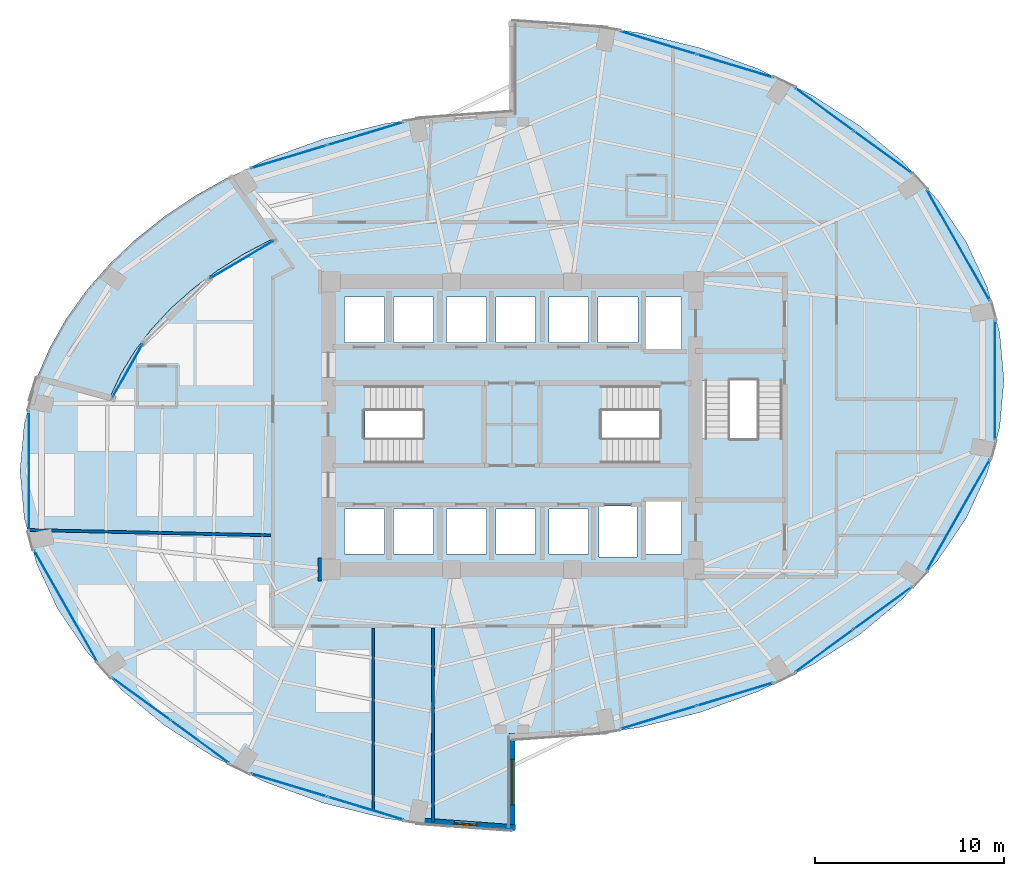
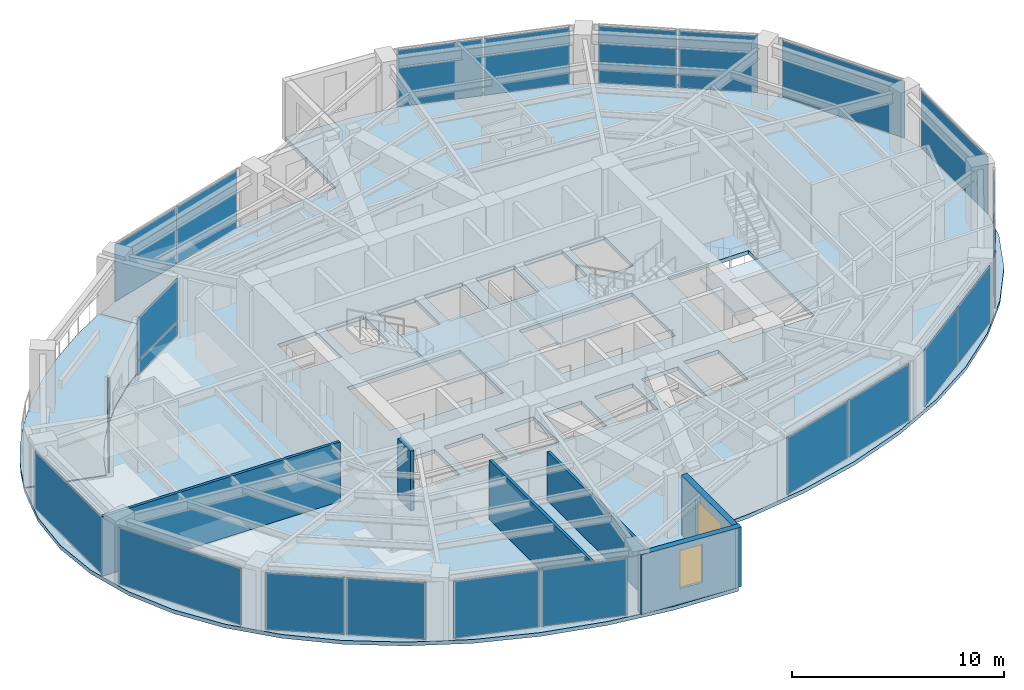
# One storey, part 19 of 24: 23 plates, 6 walls, 5 slabs, 2 windows, 2 openings, 17 elements without a shape of their own.
"""IFC4 building model written with IfcOpenShell, lengths in metres."""

from ifc_helpers import new_model, si_unit, direction, frame, frame_2d, origin, origin_2d, place, context, subcontext, project, spatial, polyline, rectangle, outline, extrude, material, layer, layer_set, type_object, element, fill, aggregate, save


model = new_model("IFC4")

# Units and contexts
model_context = context("Model", 3, precision=1e-05, world=origin(), true_north=direction((0.0, 1.0)))
body_context = subcontext(model_context, "Body", "Model", "MODEL_VIEW")
ifc_project = project(units=[si_unit("LENGTHUNIT", "METRE"), si_unit("AREAUNIT", "SQUARE_METRE"), si_unit("VOLUMEUNIT", "CUBIC_METRE"), si_unit("PLANEANGLEUNIT", "RADIAN"), si_unit("MASSUNIT", "GRAM", prefix="KILO")], contexts=[model_context])

# Site, building, storey
site_placement = place(None, origin())
site = spatial("IfcSite", under=ifc_project, at=site_placement, CompositionType="ELEMENT")
building_placement = place(site_placement, origin())
building = spatial("IfcBuilding", under=site, at=building_placement, Name="Lazwardi Medical Tower", CompositionType="ELEMENT")
storey_placement = place(building_placement, frame((0.0, 0.0, 110.927978515625)))
storey = spatial("IfcBuildingStorey", under=building, at=storey_placement, Name="L28", CompositionType="ELEMENT", Elevation=110.927978515625)

# Curtain wall, plates
ifc_material_1 = material(Name="Anodised bronze aluminium and solar control glazing", Category="aluminium")
ifc_layer_1 = layer(ifc_material_1, 0.195068359375)
ifc_layer_set_1 = layer_set([ifc_layer_1], Name="Anodised bronze aluminium and solar control glazing")
curtain_wall_type_1 = type_object("IfcCurtainWallType", Name="CW-SYS-03", PredefinedType="NOTDEFINED", material=ifc_layer_set_1)
curtain_wall_1_placement = place(storey_placement, origin())
curtain_wall_1 = element("IfcCurtainWall", 1, at=curtain_wall_1_placement, inside=storey, type_object=curtain_wall_type_1, Name="L28 Unitised bronze curtain wall CW-03", PredefinedType="NOTDEFINED")
ifc_material_2 = material(Name="Low-e bronze solar control double glazing", Category="glass")
ifc_layer_2 = layer(ifc_material_2, 0.035888671875)
ifc_layer_set_2 = layer_set([ifc_layer_2], Name="Low-e bronze solar control double glazing")
plate_type_1 = type_object("IfcPlateType", Name="PLT-GLZ-01", PredefinedType="CURTAIN_PANEL", material=ifc_layer_set_2)
plate_1_placement = place(storey_placement, frame((43.73974609375, 12.573486328125, 0.0751953125), z_axis=(0.0, 0.0, 1.0), x_axis=(0.957216170558, 0.28937381157, 0.0)))
plate_1 = element("IfcPlate", 2, at=plate_1_placement, type_object=plate_type_1, Name="CW-03 panel 1.1", PredefinedType="CURTAIN_PANEL", context=body_context, shape_type="SweptSolid", body=[
    extrude(rectangle(XDim=4.16552734375, YDim=0.035888671875, at=origin_2d()), origin(), (0.0, 0.0, 1.0), 3.278076171875),
])
plate_2_placement = place(storey_placement, frame((47.798828125, 13.800537109375, 0.0751953125), z_axis=(0.0, 0.0, 1.0), x_axis=(0.957216170558, 0.28937381157, 0.0)))
plate_2 = element("IfcPlate", 3, at=plate_2_placement, type_object=plate_type_1, Name="CW-03 panel 2.1", PredefinedType="CURTAIN_PANEL", context=body_context, shape_type="SweptSolid", body=[
    extrude(rectangle(XDim=4.16552734375, YDim=0.035888671875, at=origin_2d()), origin(), (0.0, 0.0, 1.0), 3.278076171875),
])
aggregate(curtain_wall_1, [plate_1, plate_2])

curtain_wall_2_placement = place(storey_placement, origin())
curtain_wall_2 = element("IfcCurtainWall", 4, at=curtain_wall_2_placement, inside=storey, type_object=curtain_wall_type_1, Name="L28 Unitised bronze curtain wall CW-03", PredefinedType="NOTDEFINED")
plate_3_placement = place(storey_placement, frame((52.4990234375, 16.093017578125, 0.0751953125), z_axis=(0.0, 0.0, 1.0), x_axis=(0.807745837639, 0.589530882802, 0.0)))
plate_3 = element("IfcPlate", 5, at=plate_3_placement, type_object=plate_type_1, Name="CW-03 panel 1.1", PredefinedType="CURTAIN_PANEL", context=body_context, shape_type="SweptSolid", body=[
    extrude(rectangle(XDim=3.767578125, YDim=0.035888671875, at=origin_2d()), origin(), (0.0, 0.0, 1.0), 3.278076171875),
])
plate_4_placement = place(storey_placement, frame((55.60302734375, 18.3583984375, 0.0751953125), z_axis=(0.0, 0.0, 1.0), x_axis=(0.807745837639, 0.589530882802, 0.0)))
plate_4 = element("IfcPlate", 6, at=plate_4_placement, type_object=plate_type_1, Name="CW-03 panel 2.1", PredefinedType="CURTAIN_PANEL", context=body_context, shape_type="SweptSolid", body=[
    extrude(rectangle(XDim=3.767578125, YDim=0.035888671875, at=origin_2d()), origin(), (0.0, 0.0, 1.0), 3.278076171875),
])
aggregate(curtain_wall_2, [plate_3, plate_4])

# Curtain wall, plate
curtain_wall_3_placement = place(storey_placement, origin())
curtain_wall_3 = element("IfcCurtainWall", 7, at=curtain_wall_3_placement, inside=storey, type_object=curtain_wall_type_1, Name="L28 Unitised bronze curtain wall CW-03", PredefinedType="NOTDEFINED")
plate_5_placement = place(storey_placement, frame((59.5849609375, 23.270263671875, 0.0751953125), z_axis=(0.0, 0.0, 1.0), x_axis=(0.493603140041, 0.869687265712, 0.0)))
plate_5 = element("IfcPlate", 8, at=plate_5_placement, type_object=plate_type_1, Name="CW-03 panel 1.1", PredefinedType="CURTAIN_PANEL", context=body_context, shape_type="SweptSolid", body=[
    extrude(rectangle(XDim=6.722900390625, YDim=0.035888671875, at=origin_2d()), origin(), (0.0, 0.0, 1.0), 3.278076171875),
])
aggregate(curtain_wall_3, [plate_5])

curtain_wall_4_placement = place(storey_placement, origin())
curtain_wall_4 = element("IfcCurtainWall", 9, at=curtain_wall_4_placement, inside=storey, type_object=curtain_wall_type_1, Name="L28 Unitised bronze curtain wall CW-03", PredefinedType="NOTDEFINED")
plate_6_placement = place(storey_placement, frame((61.528076171875, 30.39990234375, 0.0751953125), z_axis=(0.0, 0.0, 1.0), x_axis=(0.0, 1.0, 0.0)))
plate_6 = element("IfcPlate", 10, at=plate_6_placement, type_object=plate_type_1, Name="CW-03 panel 1.1", PredefinedType="CURTAIN_PANEL", context=body_context, shape_type="SweptSolid", body=[
    extrude(rectangle(XDim=6.31982421875, YDim=0.035888671875, at=origin_2d()), origin(), (0.0, 0.0, 1.0), 3.278076171875),
])
aggregate(curtain_wall_4, [plate_6])

curtain_wall_5_placement = place(storey_placement, origin())
curtain_wall_5 = element("IfcCurtainWall", 11, at=curtain_wall_5_placement, inside=storey, type_object=curtain_wall_type_1, Name="L28 Unitised bronze curtain wall CW-03", PredefinedType="NOTDEFINED")
plate_7_placement = place(storey_placement, frame((59.5849609375, 37.52978515625, 0.0751953125), z_axis=(0.0, 0.0, 1.0), x_axis=(-0.493603140041, 0.869687265712, 0.0)))
plate_7 = element("IfcPlate", 12, at=plate_7_placement, type_object=plate_type_1, Name="CW-03 panel 1.1", PredefinedType="CURTAIN_PANEL", context=body_context, shape_type="SweptSolid", body=[
    extrude(rectangle(XDim=6.722900390625, YDim=0.035888671875, at=origin_2d()), origin(), (0.0, 0.0, 1.0), 3.278076171875),
])
aggregate(curtain_wall_5, [plate_7])

# Curtain wall, plates
curtain_wall_6_placement = place(storey_placement, origin())
curtain_wall_6 = element("IfcCurtainWall", 13, at=curtain_wall_6_placement, inside=storey, type_object=curtain_wall_type_1, Name="L28 Unitised bronze curtain wall CW-03", PredefinedType="NOTDEFINED")
plate_8_placement = place(storey_placement, frame((55.60302734375, 42.441650390625, 0.0751953125), z_axis=(0.0, 0.0, 1.0), x_axis=(-0.807745837639, 0.589530882802, 0.0)))
plate_8 = element("IfcPlate", 14, at=plate_8_placement, type_object=plate_type_1, Name="CW-03 panel 1.1", PredefinedType="CURTAIN_PANEL", context=body_context, shape_type="SweptSolid", body=[
    extrude(rectangle(XDim=3.767578125, YDim=0.035888671875, at=origin_2d()), origin(), (0.0, 0.0, 1.0), 3.278076171875),
])
plate_9_placement = place(storey_placement, frame((52.4990234375, 44.70703125, 0.0751953125), z_axis=(0.0, 0.0, 1.0), x_axis=(-0.807745837639, 0.589530882802, 0.0)))
plate_9 = element("IfcPlate", 15, at=plate_9_placement, type_object=plate_type_1, Name="CW-03 panel 2.1", PredefinedType="CURTAIN_PANEL", context=body_context, shape_type="SweptSolid", body=[
    extrude(rectangle(XDim=3.767578125, YDim=0.035888671875, at=origin_2d()), origin(), (0.0, 0.0, 1.0), 3.278076171875),
])
aggregate(curtain_wall_6, [plate_8, plate_9])

curtain_wall_7_placement = place(storey_placement, origin())
curtain_wall_7 = element("IfcCurtainWall", 16, at=curtain_wall_7_placement, inside=storey, type_object=curtain_wall_type_1, Name="L28 Unitised bronze curtain wall CW-03", PredefinedType="NOTDEFINED")
plate_10_placement = place(storey_placement, frame((47.798828125, 46.99951171875, 0.0751953125), z_axis=(0.0, 0.0, 1.0), x_axis=(-0.957216170558, 0.28937381157, 0.0)))
plate_10 = element("IfcPlate", 17, at=plate_10_placement, type_object=plate_type_1, Name="CW-03 panel 1.1", PredefinedType="CURTAIN_PANEL", context=body_context, shape_type="SweptSolid", body=[
    extrude(rectangle(XDim=4.16552734375, YDim=0.035888671875, at=origin_2d()), origin(), (0.0, 0.0, 1.0), 3.278076171875),
])
plate_11_placement = place(storey_placement, frame((43.73974609375, 48.2265625, 0.0751953125), z_axis=(0.0, 0.0, 1.0), x_axis=(-0.957216170558, 0.28937381157, 0.0)))
plate_11 = element("IfcPlate", 18, at=plate_11_placement, type_object=plate_type_1, Name="CW-03 panel 2.1", PredefinedType="CURTAIN_PANEL", context=body_context, shape_type="SweptSolid", body=[
    extrude(rectangle(XDim=4.16552734375, YDim=0.035888671875, at=origin_2d()), origin(), (0.0, 0.0, 1.0), 3.278076171875),
])
aggregate(curtain_wall_7, [plate_10, plate_11])

curtain_wall_8_placement = place(storey_placement, origin())
curtain_wall_8 = element("IfcCurtainWall", 19, at=curtain_wall_8_placement, inside=storey, type_object=curtain_wall_type_1, Name="L28 Unitised bronze curtain wall CW-03", PredefinedType="NOTDEFINED")
plate_12_placement = place(storey_placement, frame((28.26025390625, 43.426513671875, 0.0751953125), z_axis=(0.0, 0.0, 1.0), x_axis=(-0.957216170558, -0.28937381157, 0.0)))
plate_12 = element("IfcPlate", 20, at=plate_12_placement, type_object=plate_type_1, Name="CW-03 panel 1.1", PredefinedType="CURTAIN_PANEL", context=body_context, shape_type="SweptSolid", body=[
    extrude(rectangle(XDim=4.16552734375, YDim=0.035888671875, at=origin_2d()), origin(), (0.0, 0.0, 1.0), 3.278076171875),
])
plate_13_placement = place(storey_placement, frame((24.201171875, 42.199462890625, 0.0751953125), z_axis=(0.0, 0.0, 1.0), x_axis=(-0.957216170558, -0.28937381157, 0.0)))
plate_13 = element("IfcPlate", 21, at=plate_13_placement, type_object=plate_type_1, Name="CW-03 panel 2.1", PredefinedType="CURTAIN_PANEL", context=body_context, shape_type="SweptSolid", body=[
    extrude(rectangle(XDim=4.16552734375, YDim=0.035888671875, at=origin_2d()), origin(), (0.0, 0.0, 1.0), 3.278076171875),
])
aggregate(curtain_wall_8, [plate_12, plate_13])

# Curtain wall, plate
curtain_wall_9_placement = place(storey_placement, origin())
curtain_wall_9 = element("IfcCurtainWall", 22, at=curtain_wall_9_placement, inside=storey, type_object=curtain_wall_type_1, Name="L28 Unitised bronze curtain wall CW-03", PredefinedType="NOTDEFINED")
plate_14_placement = place(storey_placement, frame((10.471923828125, 25.60009765625, 0.0751953125), z_axis=(0.0, 0.0, 1.0), x_axis=(0.0, -1.0, 0.0)))
plate_14 = element("IfcPlate", 23, at=plate_14_placement, type_object=plate_type_1, Name="CW-03 panel 1.1", PredefinedType="CURTAIN_PANEL", context=body_context, shape_type="SweptSolid", body=[
    extrude(rectangle(XDim=6.31982421875, YDim=0.035888671875, at=origin_2d()), origin(), (0.0, 0.0, 1.0), 3.278076171875),
])
aggregate(curtain_wall_9, [plate_14])

curtain_wall_10_placement = place(storey_placement, origin())
curtain_wall_10 = element("IfcCurtainWall", 24, at=curtain_wall_10_placement, inside=storey, type_object=curtain_wall_type_1, Name="L28 Unitised bronze curtain wall CW-03", PredefinedType="NOTDEFINED")
plate_15_placement = place(storey_placement, frame((12.4150390625, 18.47021484375, 0.0751953125), z_axis=(0.0, 0.0, 1.0), x_axis=(0.493603140041, -0.869687265712, 0.0)))
plate_15 = element("IfcPlate", 25, at=plate_15_placement, type_object=plate_type_1, Name="CW-03 panel 1.1", PredefinedType="CURTAIN_PANEL", context=body_context, shape_type="SweptSolid", body=[
    extrude(rectangle(XDim=6.722900390625, YDim=0.035888671875, at=origin_2d()), origin(), (0.0, 0.0, 1.0), 3.278076171875),
])
aggregate(curtain_wall_10, [plate_15])

# Curtain wall, plates
curtain_wall_11_placement = place(storey_placement, origin())
curtain_wall_11 = element("IfcCurtainWall", 26, at=curtain_wall_11_placement, inside=storey, type_object=curtain_wall_type_1, Name="L28 Unitised bronze curtain wall CW-03", PredefinedType="NOTDEFINED")
plate_16_placement = place(storey_placement, frame((16.39697265625, 13.558349609375, 0.0751953125), z_axis=(0.0, 0.0, 1.0), x_axis=(0.807745837639, -0.589530882802, 0.0)))
plate_16 = element("IfcPlate", 27, at=plate_16_placement, type_object=plate_type_1, Name="CW-03 panel 1.1", PredefinedType="CURTAIN_PANEL", context=body_context, shape_type="SweptSolid", body=[
    extrude(rectangle(XDim=3.767578125, YDim=0.035888671875, at=origin_2d()), origin(), (0.0, 0.0, 1.0), 3.278076171875),
])
plate_17_placement = place(storey_placement, frame((19.5009765625, 11.29296875, 0.0751953125), z_axis=(0.0, 0.0, 1.0), x_axis=(0.807745837639, -0.589530882802, 0.0)))
plate_17 = element("IfcPlate", 28, at=plate_17_placement, type_object=plate_type_1, Name="CW-03 panel 2.1", PredefinedType="CURTAIN_PANEL", context=body_context, shape_type="SweptSolid", body=[
    extrude(rectangle(XDim=3.767578125, YDim=0.035888671875, at=origin_2d()), origin(), (0.0, 0.0, 1.0), 3.278076171875),
])
aggregate(curtain_wall_11, [plate_16, plate_17])

curtain_wall_12_placement = place(storey_placement, origin())
curtain_wall_12 = element("IfcCurtainWall", 29, at=curtain_wall_12_placement, inside=storey, type_object=curtain_wall_type_1, Name="L28 Unitised bronze curtain wall CW-03", PredefinedType="NOTDEFINED")
plate_18_placement = place(storey_placement, frame((24.201171875, 9.00048828125, 0.0751953125), z_axis=(0.0, 0.0, 1.0), x_axis=(0.957216170558, -0.28937381157, 0.0)))
plate_18 = element("IfcPlate", 30, at=plate_18_placement, type_object=plate_type_1, Name="CW-03 panel 1.1", PredefinedType="CURTAIN_PANEL", context=body_context, shape_type="SweptSolid", body=[
    extrude(rectangle(XDim=4.16552734375, YDim=0.035888671875, at=origin_2d()), origin(), (0.0, 0.0, 1.0), 3.278076171875),
])
plate_19_placement = place(storey_placement, frame((28.26025390625, 7.7734375, 0.0751953125), z_axis=(0.0, 0.0, 1.0), x_axis=(0.957216170558, -0.28937381157, 0.0)))
plate_19 = element("IfcPlate", 31, at=plate_19_placement, type_object=plate_type_1, Name="CW-03 panel 2.1", PredefinedType="CURTAIN_PANEL", context=body_context, shape_type="SweptSolid", body=[
    extrude(rectangle(XDim=4.16552734375, YDim=0.035888671875, at=origin_2d()), origin(), (0.0, 0.0, 1.0), 3.278076171875),
])
aggregate(curtain_wall_12, [plate_18, plate_19])

ifc_layer_3 = layer(ifc_material_1, 0.239990234375)
ifc_layer_set_3 = layer_set([ifc_layer_3], Name="Anodised bronze aluminium and solar control glazing")
curtain_wall_type_2 = type_object("IfcCurtainWallType", Name="CW-SYS-05", PredefinedType="NOTDEFINED", material=ifc_layer_set_3)
curtain_wall_13_placement = place(storey_placement, origin())
curtain_wall_13 = element("IfcCurtainWall", 32, at=curtain_wall_13_placement, inside=storey, type_object=curtain_wall_type_2, Name="L28 Unitised bronze curtain wall CW-05", PredefinedType="NOTDEFINED")
ifc_material_3 = material(Name="Laminated acoustic bronze double glazing", Category="glass")
ifc_layer_4 = layer(ifc_material_3, 0.0419921875)
ifc_layer_set_4 = layer_set([ifc_layer_4], Name="Laminated acoustic bronze double glazing")
plate_type_2 = type_object("IfcPlateType", Name="PLT-GLZ-02", PredefinedType="CURTAIN_PANEL", material=ifc_layer_set_4)
plate_20_placement = place(storey_placement, frame((21.72412109375, 36.7685546875, 0.0849609375), z_axis=(0.0, 0.0, 1.0), x_axis=(-0.860814811095, -0.508918324488, 0.0)))
plate_20 = element("IfcPlate", 33, at=plate_20_placement, type_object=plate_type_2, Name="CW-05 panel 1.1", PredefinedType="CURTAIN_PANEL", context=body_context, shape_type="SweptSolid", body=[
    extrude(rectangle(XDim=3.84033203125, YDim=0.0419921875, at=origin_2d()), origin(), (0.0, 0.0, 1.0), 0.7724609375),
])
plate_21_placement = place(storey_placement, frame((21.72412109375, 36.7685546875, 0.942626953125), z_axis=(0.0, 0.0, 1.0), x_axis=(-0.860814811095, -0.508918324488, 0.0)))
plate_21 = element("IfcPlate", 34, at=plate_21_placement, type_object=plate_type_2, Name="CW-05 panel 1.2", PredefinedType="CURTAIN_PANEL", context=body_context, shape_type="SweptSolid", body=[
    extrude(rectangle(XDim=3.84033203125, YDim=0.0419921875, at=origin_2d()), origin(), (0.0, 0.0, 1.0), 2.400390625),
])
aggregate(curtain_wall_13, [plate_20, plate_21])

curtain_wall_14_placement = place(storey_placement, origin())
curtain_wall_14 = element("IfcCurtainWall", 35, at=curtain_wall_14_placement, inside=storey, type_object=curtain_wall_type_2, Name="L28 Unitised bronze curtain wall CW-05", PredefinedType="NOTDEFINED")
plate_22_placement = place(storey_placement, frame((15.68505859375, 30.9033203125, 0.0849609375), z_axis=(0.0, 0.0, 1.0), x_axis=(-0.491556224341, -0.870845840727, 0.0)))
plate_22 = element("IfcPlate", 36, at=plate_22_placement, type_object=plate_type_2, Name="CW-05 panel 1.1", PredefinedType="CURTAIN_PANEL", context=body_context, shape_type="SweptSolid", body=[
    extrude(rectangle(XDim=3.1650390625, YDim=0.0419921875, at=origin_2d()), origin(), (0.0, 0.0, 1.0), 0.7724609375),
])
plate_23_placement = place(storey_placement, frame((15.68505859375, 30.9033203125, 0.942626953125), z_axis=(0.0, 0.0, 1.0), x_axis=(-0.491556224341, -0.870845840727, 0.0)))
plate_23 = element("IfcPlate", 37, at=plate_23_placement, type_object=plate_type_2, Name="CW-05 panel 1.2", PredefinedType="CURTAIN_PANEL", context=body_context, shape_type="SweptSolid", body=[
    extrude(rectangle(XDim=3.1650390625, YDim=0.0419921875, at=origin_2d()), origin(), (0.0, 0.0, 1.0), 2.400390625),
])
aggregate(curtain_wall_14, [plate_22, plate_23])

# Stair, slab
ifc_material_4 = material(Name="Concrete C45/55", Category="concrete")
stair_type = type_object("IfcStairType", Name="STR-WRD", PredefinedType="HALF_TURN_STAIR", material=ifc_material_4)
stair_1_placement = place(storey_placement, origin())
stair_1 = element("IfcStair", 38, at=stair_1_placement, inside=storey, type_object=stair_type, Name="L28 Protected Exit Stair ST1", PredefinedType="HALF_TURN_STAIR")
ifc_layer_5 = layer(ifc_material_4, 0.199951171875)
ifc_layer_set_5 = layer_set([ifc_layer_5], Name="Concrete C45/55")
slab_type_1 = type_object("IfcSlabType", Name="SLB-LND-190", PredefinedType="LANDING", material=ifc_layer_set_5)
slab_1_placement = place(storey_placement, frame((0.0, 0.0, 1.6240234375)))
slab_1 = element("IfcSlab", 39, at=slab_1_placement, type_object=slab_type_1, Name="ST1 landing 1", PredefinedType="LANDING", context=body_context, shape_type="SweptSolid", body=[
    extrude(outline(polyline([(31.27490234375, 25.840087890625), (34.580078125, 25.840087890625), (34.580078125, 30.280029296875), (31.27490234375, 30.280029296875), (31.27490234375, 25.840087890625)])), origin(), (0.0, 0.0, 1.0), 0.199951171875),
])
aggregate(stair_1, [slab_1])

stair_2_placement = place(storey_placement, origin())
stair_2 = element("IfcStair", 40, at=stair_2_placement, inside=storey, type_object=stair_type, Name="L28 Protected Exit Stair ST2", PredefinedType="HALF_TURN_STAIR")
slab_2_placement = place(storey_placement, frame((0.0, 0.0, 1.6240234375)))
slab_2 = element("IfcSlab", 41, at=slab_2_placement, type_object=slab_type_1, Name="ST2 landing 1", PredefinedType="LANDING", context=body_context, shape_type="SweptSolid", body=[
    extrude(outline(polyline([(40.72509765625, 30.280029296875), (37.419921875, 30.280029296875), (37.419921875, 25.840087890625), (40.72509765625, 25.840087890625), (40.72509765625, 30.280029296875)])), origin(), (0.0, 0.0, 1.0), 0.199951171875),
])
aggregate(stair_2, [slab_2])

stair_3_placement = place(storey_placement, origin())
stair_3 = element("IfcStair", 42, at=stair_3_placement, inside=storey, type_object=stair_type, Name="L28 Protected Exit Stair ST3", PredefinedType="HALF_TURN_STAIR")
slab_3_placement = place(storey_placement, frame((0.0, 0.0, 1.6240234375)))
slab_3 = element("IfcSlab", 43, at=slab_3_placement, type_object=slab_type_1, Name="ST3 landing 1", PredefinedType="LANDING", context=body_context, shape_type="SweptSolid", body=[
    extrude(outline(polyline([(45.860107421875, 27.324951171875), (45.860107421875, 24.02001953125), (50.4599609375, 24.02001953125), (50.4599609375, 27.324951171875), (45.860107421875, 27.324951171875)])), origin(), (0.0, 0.0, 1.0), 0.199951171875),
])
aggregate(stair_3, [slab_3])

# Slabs
ifc_material_5 = material(Name="Concrete C50/60", Category="concrete")
ifc_layer_6 = layer(ifc_material_5, 0.260009765625)
ifc_layer_set_6 = layer_set([ifc_layer_6], Name="Concrete C50/60")
slab_type_2 = type_object("IfcSlabType", Name="SLB-SKG-260", PredefinedType="ROOF", material=ifc_layer_set_6)
slab_4_placement = place(storey_placement, frame((0.0, 0.0, -0.219970703125)))
element("IfcSlab", 44, at=slab_4_placement, inside=storey, type_object=slab_type_2, Name="L28 Sky Garden SG2 Planted Terrace Slab", PredefinedType="ROOF", context=body_context, shape_type="SweptSolid", body=[
    extrude(outline(polyline([(19.28759765625, 40.15478515625), (17.615234375, 39.034912109375), (16.082763671875, 37.81298828125), (14.701904296875, 36.498046875), (13.4833984375, 35.10009765625), (12.43603515625, 33.629638671875), (11.568115234375, 32.098388671875), (10.885986328125, 30.517578125), (14.74951171875, 29.482421875), (15.326904296875, 30.730224609375), (16.061279296875, 31.939208984375), (16.947509765625, 33.10009765625), (17.978759765625, 34.20361328125), (19.14697265625, 35.24169921875), (20.443603515625, 36.20654296875), (21.858642578125, 37.0908203125), (23.38134765625, 37.88720703125), (21.0869140625, 41.163818359375), (19.28759765625, 40.15478515625)])), origin(), (0.0, 0.0, 1.0), 0.260009765625),
])
ifc_layer_7 = layer(ifc_material_5, 0.219970703125)
ifc_layer_set_7 = layer_set([ifc_layer_7], Name="Concrete C50/60")
slab_type_3 = type_object("IfcSlabType", Name="SLB-WRD-220", PredefinedType="FLOOR", material=ifc_layer_set_7)
slab_5_placement = place(storey_placement, frame((0.0, 0.0, -0.219970703125)))
element("IfcSlab", 45, at=slab_5_placement, inside=storey, type_object=slab_type_3, Name="Structural floor slab SF-03 L28", PredefinedType="FLOOR", context=body_context, shape_type="SweptSolid", body=[
    extrude(outline(polyline([(61.777587890625, 32.8798828125), (61.114013671875, 35.317626953125), (60.02099609375, 37.6708984375), (58.5166015625, 39.89990234375), (56.627197265625, 41.966552734375), (54.384765625, 43.8349609375), (51.827880859375, 45.4736328125), (49.0, 46.8544921875), (45.94970703125, 47.95361328125), (42.729248046875, 48.752685546875), (39.393798828125, 49.237548828125), (36.0, 49.39990234375), (36.0, 44.60009765625), (32.606201171875, 44.4375), (29.270751953125, 43.95263671875), (26.05029296875, 43.15380859375), (23.0, 42.054443359375), (21.1142578125, 41.1337890625), (23.385498046875, 37.89013671875), (23.3857421875, 37.8896484375), (23.385986328125, 37.889404296875), (23.385986328125, 37.888916015625), (23.38623046875, 37.88818359375), (23.38623046875, 37.887939453125), (23.38623046875, 37.887451171875), (23.38623046875, 37.886962890625), (23.38623046875, 37.886474609375), (23.385986328125, 37.885986328125), (23.385986328125, 37.885498046875), (23.3857421875, 37.885009765625), (23.385498046875, 37.884521484375), (23.38525390625, 37.884033203125), (23.384765625, 37.8837890625), (23.384521484375, 37.88330078125), (23.384033203125, 37.883056640625), (23.383544921875, 37.8828125), (21.861083984375, 37.08642578125), (20.446533203125, 36.202392578125), (19.150146484375, 35.23779296875), (17.982177734375, 34.199951171875), (16.951171875, 33.0966796875), (16.065185546875, 31.9365234375), (15.331298828125, 30.727783203125), (14.754150390625, 29.480224609375), (14.75390625, 29.479736328125), (14.753662109375, 29.479248046875), (14.75341796875, 29.47900390625), (14.7529296875, 29.478515625), (14.752685546875, 29.478271484375), (14.752197265625, 29.47802734375), (14.751708984375, 29.477783203125), (14.751220703125, 29.4775390625), (14.750732421875, 29.477294921875), (14.750244140625, 29.477294921875), (14.749755859375, 29.477294921875), (14.749267578125, 29.477294921875), (14.748779296875, 29.477294921875), (14.748291015625, 29.4775390625), (10.884521484375, 30.5126953125), (10.884521484375, 30.5126953125), (10.222412109375, 28.080078125), (10.0, 25.60009765625), (10.222412109375, 23.1201171875), (10.885986328125, 20.682373046875), (11.97900390625, 18.3291015625), (13.4833984375, 16.10009765625), (15.372802734375, 14.033447265625), (17.615234375, 12.1650390625), (20.172119140625, 10.5263671875), (23.0, 9.1455078125), (26.05029296875, 8.04638671875), (29.270751953125, 7.247314453125), (32.606201171875, 6.762451171875), (36.0, 6.60009765625), (36.0, 11.39990234375), (39.393798828125, 11.5625), (42.729248046875, 12.04736328125), (45.94970703125, 12.84619140625), (49.0, 13.945556640625), (51.827880859375, 15.326416015625), (54.384765625, 16.965087890625), (56.627197265625, 18.83349609375), (58.5166015625, 20.89990234375), (60.02099609375, 23.12890625), (61.114013671875, 25.482421875), (61.777587890625, 27.919921875), (62.0, 30.39990234375), (61.777587890625, 32.8798828125)]), holes=[polyline([(28.22509765625, 26.02001953125), (28.22509765625, 30.10009765625), (34.39990234375, 30.10009765625), (34.39990234375, 26.02001953125), (28.22509765625, 26.02001953125)]), polyline([(37.60009765625, 30.10009765625), (43.77490234375, 30.10009765625), (43.77490234375, 26.02001953125), (37.60009765625, 26.02001953125), (37.60009765625, 30.10009765625)]), polyline([(50.280029296875, 30.375), (50.280029296875, 24.179931640625), (45.840087890625, 24.179931640625), (45.840087890625, 30.375), (50.280029296875, 30.375)]), polyline([(29.25, 32.39990234375), (27.14990234375, 32.39990234375), (27.14990234375, 34.800048828125), (29.25, 34.800048828125), (29.25, 32.39990234375)]), polyline([(29.75, 32.39990234375), (29.75, 34.800048828125), (31.85009765625, 34.800048828125), (31.85009765625, 32.39990234375), (29.75, 32.39990234375)]), polyline([(27.14990234375, 23.60009765625), (29.25, 23.60009765625), (29.25, 21.199951171875), (27.14990234375, 21.199951171875), (27.14990234375, 23.60009765625)]), polyline([(31.85009765625, 23.60009765625), (31.85009765625, 21.199951171875), (29.75, 21.199951171875), (29.75, 23.60009765625), (31.85009765625, 23.60009765625)]), polyline([(34.64990234375, 32.39990234375), (32.550048828125, 32.39990234375), (32.550048828125, 34.800048828125), (34.64990234375, 34.800048828125), (34.64990234375, 32.39990234375)]), polyline([(35.14990234375, 32.39990234375), (35.14990234375, 34.800048828125), (37.25, 34.800048828125), (37.25, 32.39990234375), (35.14990234375, 32.39990234375)]), polyline([(32.550048828125, 23.60009765625), (34.64990234375, 23.60009765625), (34.64990234375, 21.199951171875), (32.550048828125, 21.199951171875), (32.550048828125, 23.60009765625)]), polyline([(37.25, 23.60009765625), (37.25, 21.199951171875), (35.14990234375, 21.199951171875), (35.14990234375, 23.60009765625), (37.25, 23.60009765625)]), polyline([(40.050048828125, 32.39990234375), (37.949951171875, 32.39990234375), (37.949951171875, 34.800048828125), (40.050048828125, 34.800048828125), (40.050048828125, 32.39990234375)]), polyline([(40.550048828125, 32.39990234375), (40.550048828125, 34.800048828125), (42.64990234375, 34.800048828125), (42.64990234375, 32.39990234375), (40.550048828125, 32.39990234375)]), polyline([(37.949951171875, 23.60009765625), (40.050048828125, 23.60009765625), (40.050048828125, 21.199951171875), (37.949951171875, 21.199951171875), (37.949951171875, 23.60009765625)]), polyline([(44.949951171875, 34.800048828125), (44.949951171875, 32.0), (43.050048828125, 32.0), (43.050048828125, 34.800048828125), (44.949951171875, 34.800048828125)]), polyline([(44.949951171875, 21.199951171875), (43.050048828125, 21.199951171875), (43.050048828125, 24.0), (44.949951171875, 24.0), (44.949951171875, 21.199951171875)]), polyline([(40.60009765625, 21.050048828125), (40.60009765625, 23.75), (42.60009765625, 23.75), (42.60009765625, 21.050048828125), (40.60009765625, 21.050048828125)])]), origin(), (0.0, 0.0, 1.0), 0.219970703125),
])

# Wall
ifc_material_6 = material(Name="Fire-rated gypsum board on steel stud", Category="steel")
ifc_layer_8 = layer(ifc_material_6, 0.179931640625)
ifc_layer_set_8 = layer_set([ifc_layer_8], Name="Fire-rated gypsum board on steel stud")
wall_type_1 = type_object("IfcWallType", Name="WL-COR-180", PredefinedType="PARTITIONING", material=ifc_layer_set_8)
wall_1_placement = place(storey_placement, frame((25.830078125, 21.010009765625, 0.0), z_axis=(0.0, 0.0, 1.0), x_axis=(0.0, -1.0, 0.0)))
element("IfcWall", 46, at=wall_1_placement, inside=storey, type_object=wall_type_1, Name="L28 Corridor partition 12", PredefinedType="PARTITIONING", context=body_context, shape_type="SweptSolid", body=[
    extrude(rectangle(XDim=1.219970703125, YDim=0.179931640625, at=frame_2d((0.60986328125, 0.0))), origin(), (0.0, 0.0, 1.0), 3.427978515625),
])

# Wall, opening, window
ifc_material_7 = material(Name="Precast concrete C45/55", Category="concrete")
ifc_layer_9 = layer(ifc_material_7, 0.320068359375)
ifc_layer_set_9 = layer_set([ifc_layer_9], Name="Precast concrete C45/55")
wall_type_2 = type_object("IfcWallType", Name="WL-IWAN-320", PredefinedType="SOLIDWALL", material=ifc_layer_set_9)
wall_2_placement = place(storey_placement, frame((30.908935546875, 7.12548828125, 0.0), z_axis=(0.0, 0.0, 1.0), x_axis=(0.997431890304, -0.071621394884, 0.0)))
wall_2 = element("IfcWall", 47, at=wall_2_placement, inside=storey, type_object=wall_type_2, Name="L28 Iwan Portal Return Wall SW_ret", PredefinedType="SOLIDWALL", context=body_context, shape_type="SweptSolid", body=[
    extrude(rectangle(XDim=5.28369140625, YDim=0.320068359375, at=frame_2d((2.641845703125, 0.0))), origin(), (0.0, 0.0, 1.0), 3.427978515625),
])
opening_1_placement = place(wall_2_placement, frame((2.041748046875, 0.0, 0.85009765625)))
opening_1 = element("IfcOpeningElement", 48, at=opening_1_placement, cuts=wall_2, Name="Opening WN-01", PredefinedType="OPENING", context=body_context, shape_type="SweptSolid", body=[
    extrude(rectangle(XDim=1.199951171875, YDim=2.199951171875, at=frame_2d((0.60009765625, 1.10009765625))), frame((0.0, 0.169921875, 0.0), z_axis=(0.0, -1.0, 0.0), x_axis=(1.0, 0.0, 0.0)), (0.0, 0.0, 1.0), 0.340087890625),
])
window_type_1 = type_object("IfcWindowType", Name="WIN-IW-1200", PartitioningType="SINGLE_PANEL", PredefinedType="WINDOW", material=ifc_material_2)
window_1_placement = place(opening_1_placement, origin())
window_1 = element("IfcWindow", 49, at=window_1_placement, inside=storey, type_object=window_type_1, Name="L28 Iwan Slot Window SW_ret", OverallHeight=2.199951171875, OverallWidth=1.199951171875, PartitioningType="SINGLE_PANEL", PredefinedType="WINDOW", context=body_context, shape_type="SweptSolid", body=[
    extrude(rectangle(XDim=1.199951171875, YDim=2.199951171875, at=frame_2d((0.60009765625, 1.10009765625))), frame((0.0, 0.030029296875, 0.0), z_axis=(0.0, -1.0, 0.0), x_axis=(1.0, 0.0, 0.0)), (0.0, 0.0, 1.0), 0.06005859375),
])
fill(opening_1, window_1)

wall_3_placement = place(storey_placement, frame((36.0, 6.60009765625, 0.0), z_axis=(0.0, 0.0, 1.0), x_axis=(0.0, 1.0, 0.0)))
wall_3 = element("IfcWall", 50, at=wall_3_placement, inside=storey, type_object=wall_type_2, Name="L28 Turquoise Tilework Iwan Seam Wall S_seam", PredefinedType="SOLIDWALL", context=body_context, shape_type="SweptSolid", body=[
    extrude(rectangle(XDim=5.119873046875, YDim=0.320068359375, at=frame_2d((2.56005859375, 0.0))), origin(), (0.0, 0.0, 1.0), 3.427978515625),
])
opening_2_placement = place(wall_3_placement, frame((1.360107421875, 0.0, 0.840087890625)))
opening_2 = element("IfcOpeningElement", 51, at=opening_2_placement, cuts=wall_3, Name="Opening WN-02", PredefinedType="OPENING", context=body_context, shape_type="SweptSolid", body=[
    extrude(rectangle(XDim=2.39990234375, YDim=2.0400390625, at=frame_2d((1.199951171875, 1.02001953125))), frame((0.0, 0.169921875, 0.0), z_axis=(0.0, -1.0, 0.0), x_axis=(1.0, 0.0, 0.0)), (0.0, 0.0, 1.0), 0.340087890625),
])
window_type_2 = type_object("IfcWindowType", Name="WIN-IW-2400", PartitioningType="SINGLE_PANEL", PredefinedType="WINDOW", material=ifc_material_2)
window_2_placement = place(opening_2_placement, origin())
window_2 = element("IfcWindow", 52, at=window_2_placement, inside=storey, type_object=window_type_2, Name="L28 Iwan Seam Window S_seam", OverallHeight=2.0400390625, OverallWidth=2.39990234375, PartitioningType="SINGLE_PANEL", PredefinedType="WINDOW", context=body_context, shape_type="SweptSolid", body=[
    extrude(rectangle(XDim=2.39990234375, YDim=2.0400390625, at=frame_2d((1.199951171875, 1.02001953125))), frame((0.0, 0.030029296875, 0.0), z_axis=(0.0, -1.0, 0.0), x_axis=(1.0, 0.0, 0.0)), (0.0, 0.0, 1.0), 0.06005859375),
])
fill(opening_2, window_2)

# Walls
ifc_material_8 = material(Name="Acoustic gypsum board partition")
ifc_layer_10 = layer(ifc_material_8, 0.14990234375)
ifc_layer_set_10 = layer_set([ifc_layer_10], Name="Acoustic gypsum board partition")
wall_type_3 = type_object("IfcWallType", Name="WL-WRD-150", PredefinedType="PARTITIONING", material=ifc_layer_set_10)
wall_4_placement = place(storey_placement, frame((10.46533203125, 22.47900390625, 0.0), z_axis=(0.0, 0.0, 1.0), x_axis=(0.999765147572, -0.021671402821, 0.0)))
element("IfcWall", 53, at=wall_4_placement, inside=storey, type_object=wall_type_3, Name="L28 Room partition 1", PredefinedType="PARTITIONING", context=body_context, shape_type="SweptSolid", body=[
    extrude(rectangle(XDim=12.797607421875, YDim=0.14990234375, at=frame_2d((6.39892578125, 0.0))), origin(), (0.0, 0.0, 1.0), 3.427978515625),
])
wall_5_placement = place(storey_placement, frame((28.669921875, 7.66357421875, 0.0), z_axis=(0.0, 0.0, 1.0), x_axis=(0.0, 1.0, 0.0)))
element("IfcWall", 54, at=wall_5_placement, inside=storey, type_object=wall_type_3, Name="L28 Room partition 5", PredefinedType="PARTITIONING", context=body_context, shape_type="SweptSolid", body=[
    extrude(rectangle(XDim=9.646484375, YDim=0.14990234375, at=frame_2d((4.8232421875, 0.0))), origin(), (0.0, 0.0, 1.0), 3.427978515625),
])
wall_6_placement = place(storey_placement, frame((31.830078125, 7.047607421875, 0.0), z_axis=(0.0, 0.0, 1.0), x_axis=(0.0, 1.0, 0.0)))
element("IfcWall", 55, at=wall_6_placement, inside=storey, type_object=wall_type_3, Name="L28 Room partition 6", PredefinedType="PARTITIONING", context=body_context, shape_type="SweptSolid", body=[
    extrude(rectangle(XDim=10.262451171875, YDim=0.14990234375, at=frame_2d((5.13134765625, 0.0))), origin(), (0.0, 0.0, 1.0), 2.81298828125),
])

save(model, "model.ifc")
